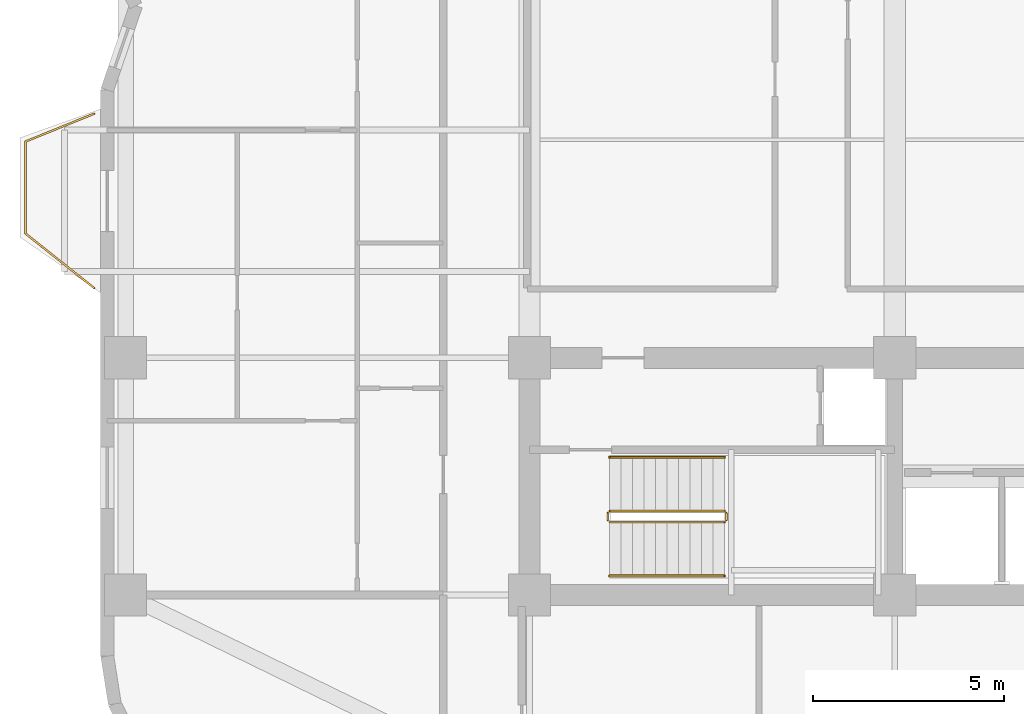
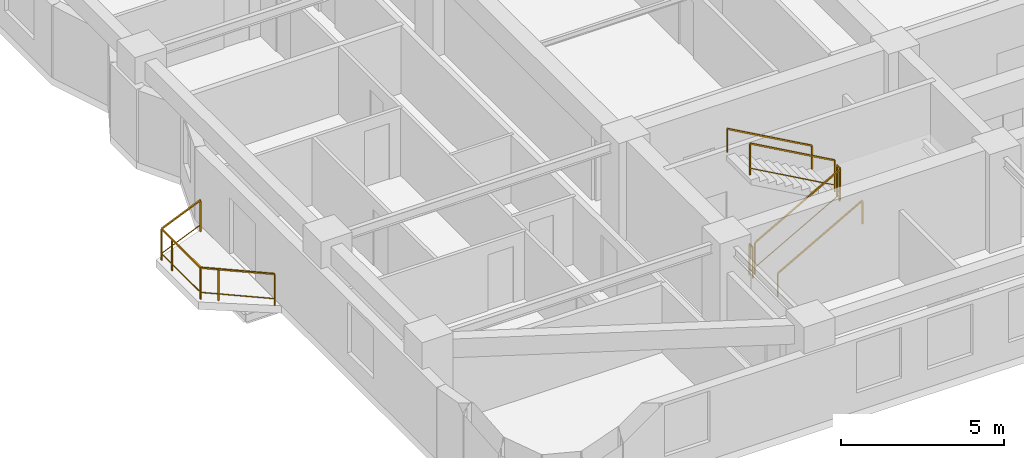
# One storey, part 8 of 9: 7 railings.
"""IFC4 building model written with IfcOpenShell, lengths in metres."""

from ifc_helpers import new_model, si_unit, direction, frame, origin, origin_2d, place, context, subcontext, project, spatial, rectangle, extrude, material, type_object, element, save


model = new_model("IFC4")

# Units and contexts
model_context = context("Model", 3, precision=1e-05, world=origin(), true_north=direction((0.0, 1.0)))
body_context = subcontext(model_context, "Body", "Model", "MODEL_VIEW")
ifc_project = project(units=[si_unit("LENGTHUNIT", "METRE"), si_unit("AREAUNIT", "SQUARE_METRE"), si_unit("VOLUMEUNIT", "CUBIC_METRE"), si_unit("PLANEANGLEUNIT", "RADIAN"), si_unit("MASSUNIT", "GRAM", prefix="KILO")], contexts=[model_context])

# Site, building, storey
site_placement = place(None, origin())
site = spatial("IfcSite", under=ifc_project, at=site_placement, CompositionType="ELEMENT")
building_placement = place(site_placement, origin())
building = spatial("IfcBuilding", under=site, at=building_placement, Name="Svetorya Sky Lyceum", CompositionType="ELEMENT")
storey_placement = place(building_placement, frame((0.0, 0.0, 125.300048828125)))
storey = spatial("IfcBuildingStorey", under=building, at=storey_placement, Name="L31", CompositionType="ELEMENT", Elevation=125.300048828125)

# Railings
ifc_material_1 = material(Name="Laminated safety glass and stainless AISI 316", Category="glass")
railing_type_1 = type_object("IfcRailingType", Name="RL-BAL-1200", PredefinedType="BALUSTRADE", material=ifc_material_1)
railing_1_placement = place(storey_placement, frame((14.22998046875, 18.6201171875, 0.0)))
element("IfcRailing", 1, at=railing_1_placement, inside=storey, type_object=railing_type_1, Name="L31 Balcony Balustrade BAL-W1", PredefinedType="BALUSTRADE", context=body_context, shape_type="SweptSolid", body=[
    extrude(rectangle(XDim=0.048095703125, YDim=0.048095703125, at=origin_2d()), frame((0.0, 0.0, 1.17578125), z_axis=(-0.783008919264, 0.622010476079, 0.0), x_axis=(-0.622010476079, -0.783008919264, 0.0)), (0.0, 0.0, 1.0), 2.298828125),
    extrude(rectangle(XDim=0.02392578125, YDim=0.02392578125, at=origin_2d()), frame((0.0, 0.0, 0.25), z_axis=(-0.783008919264, 0.622010476079, 0.0), x_axis=(-0.622010476079, -0.783008919264, 0.0)), (0.0, 0.0, 1.0), 2.298828125),
    extrude(rectangle(XDim=0.048095703125, YDim=0.048095703125, at=origin_2d()), frame((-1.800048828125, 1.429931640625, 1.17578125), z_axis=(0.0, 1.0, 0.0), x_axis=(-1.0, 0.0, 0.0)), (0.0, 0.0, 1.0), 2.39990234375),
    extrude(rectangle(XDim=0.02392578125, YDim=0.02392578125, at=origin_2d()), frame((-1.800048828125, 1.429931640625, 0.25), z_axis=(0.0, 1.0, 0.0), x_axis=(-1.0, 0.0, 0.0)), (0.0, 0.0, 1.0), 2.39990234375),
    extrude(rectangle(XDim=0.048095703125, YDim=0.048095703125, at=origin_2d()), frame((-1.800048828125, 3.829833984375, 1.17578125), z_axis=(0.926697865975, 0.375807218129, 0.0), x_axis=(-0.375807218129, 0.926697865975, 0.0)), (0.0, 0.0, 1.0), 1.9423828125),
    extrude(rectangle(XDim=0.02392578125, YDim=0.02392578125, at=origin_2d()), frame((-1.800048828125, 3.829833984375, 0.25), z_axis=(0.926697865975, 0.375807218129, 0.0), x_axis=(-0.375807218129, 0.926697865975, 0.0)), (0.0, 0.0, 1.0), 1.9423828125),
    extrude(rectangle(XDim=0.0419921875, YDim=0.0419921875, at=origin_2d()), origin(), (0.0, 0.0, 1.0), 1.15185546875),
    extrude(rectangle(XDim=0.0419921875, YDim=0.0419921875, at=origin_2d()), frame((-1.370361328125, 1.088623046875, 0.0)), (0.0, 0.0, 1.0), 1.15185546875),
    extrude(rectangle(XDim=0.0419921875, YDim=0.0419921875, at=origin_2d()), frame((-1.800048828125, 1.429931640625, 0.0)), (0.0, 0.0, 1.0), 1.15185546875),
    extrude(rectangle(XDim=0.0419921875, YDim=0.0419921875, at=origin_2d()), frame((-1.800048828125, 3.179931640625, 0.0)), (0.0, 0.0, 1.0), 1.15185546875),
    extrude(rectangle(XDim=0.0419921875, YDim=0.0419921875, at=origin_2d()), frame((-1.800048828125, 3.829833984375, 0.0)), (0.0, 0.0, 1.0), 1.15185546875),
    extrude(rectangle(XDim=0.0419921875, YDim=0.0419921875, at=origin_2d()), frame((0.0, 4.559814453125, 0.0)), (0.0, 0.0, 1.0), 1.15185546875),
])
ifc_material_2 = material(Name="Painted galvanized stair well guard")
railing_type_2 = type_object("IfcRailingType", Name="RL-STR-GUARD-1200", PredefinedType="GUARDRAIL", material=ifc_material_2)
railing_2_placement = place(storey_placement, frame((27.699951171875, 12.5, 0.168212890625)))
element("IfcRailing", 2, at=railing_2_placement, inside=storey, type_object=railing_type_2, Name="L31 ST-S stair guard 1", PredefinedType="GUARDRAIL", context=body_context, shape_type="SweptSolid", body=[
    extrude(rectangle(XDim=0.048095703125, YDim=0.048095703125, at=origin_2d()), frame((0.0, 0.0, 1.17578125), z_axis=(0.872302573547, 0.0, 0.488966481656), x_axis=(0.0, 1.0, 0.0)), (0.0, 0.0, 1.0), 3.439208984375),
    extrude(rectangle(XDim=0.02392578125, YDim=0.02392578125, at=origin_2d()), frame((0.0, 0.0, 0.25), z_axis=(0.872302573547, 0.0, 0.488966481656), x_axis=(0.0, 1.0, 0.0)), (0.0, 0.0, 1.0), 3.439208984375),
    extrude(rectangle(XDim=0.0419921875, YDim=0.0419921875, at=origin_2d()), origin(), (0.0, 0.0, 1.0), 1.15185546875),
    extrude(rectangle(XDim=0.0419921875, YDim=0.0419921875, at=origin_2d()), frame((3.0, 0.0, 1.681640625)), (0.0, 0.0, 1.0), 1.15185546875),
])
railing_3_placement = place(storey_placement, frame((30.75, 12.550048828125, 1.849853515625)))
element("IfcRailing", 3, at=railing_3_placement, inside=storey, type_object=railing_type_2, Name="L31 ST-S stair guard 2", PredefinedType="GUARDRAIL", context=body_context, shape_type="SweptSolid", body=[
    extrude(rectangle(XDim=0.048095703125, YDim=0.048095703125, at=origin_2d()), frame((0.0, 0.0, 1.17578125), z_axis=(0.0, 1.0, 0.0), x_axis=(-1.0, 0.0, 0.0)), (0.0, 0.0, 1.0), 0.199951171875),
    extrude(rectangle(XDim=0.02392578125, YDim=0.02392578125, at=origin_2d()), frame((0.0, 0.0, 0.25), z_axis=(0.0, 1.0, 0.0), x_axis=(-1.0, 0.0, 0.0)), (0.0, 0.0, 1.0), 0.199951171875),
    extrude(rectangle(XDim=0.0419921875, YDim=0.0419921875, at=origin_2d()), origin(), (0.0, 0.0, 1.0), 1.15185546875),
    extrude(rectangle(XDim=0.0419921875, YDim=0.0419921875, at=origin_2d()), frame((0.0, 0.199951171875, 0.0)), (0.0, 0.0, 1.0), 1.15185546875),
])
railing_4_placement = place(storey_placement, frame((30.699951171875, 12.800048828125, 2.01806640625)))
element("IfcRailing", 4, at=railing_4_placement, inside=storey, type_object=railing_type_2, Name="L31 ST-S stair guard 3", PredefinedType="GUARDRAIL", context=body_context, shape_type="SweptSolid", body=[
    extrude(rectangle(XDim=0.048095703125, YDim=0.048095703125, at=origin_2d()), frame((0.0, 0.0, 1.17578125), z_axis=(-0.872272294576, 0.0, 0.489020494575), x_axis=(0.0, -1.0, 0.0)), (0.0, 0.0, 1.0), 3.439208984375),
    extrude(rectangle(XDim=0.02392578125, YDim=0.02392578125, at=origin_2d()), frame((0.0, 0.0, 0.25), z_axis=(-0.872272294576, 0.0, 0.489020494575), x_axis=(0.0, -1.0, 0.0)), (0.0, 0.0, 1.0), 3.439208984375),
    extrude(rectangle(XDim=0.0419921875, YDim=0.0419921875, at=origin_2d()), origin(), (0.0, 0.0, 1.0), 1.15185546875),
    extrude(rectangle(XDim=0.0419921875, YDim=0.0419921875, at=origin_2d()), frame((-3.0, 0.0, 1.681884765625)), (0.0, 0.0, 1.0), 1.15185546875),
])
railing_5_placement = place(storey_placement, frame((27.64990234375, 12.550048828125, 0.0)))
element("IfcRailing", 5, at=railing_5_placement, inside=storey, type_object=railing_type_2, Name="L31 ST-S stair guard 4", PredefinedType="GUARDRAIL", context=body_context, shape_type="SweptSolid", body=[
    extrude(rectangle(XDim=0.048095703125, YDim=0.048095703125, at=origin_2d()), frame((0.0, 0.0, 1.17578125), z_axis=(0.0, 1.0, 0.0), x_axis=(-1.0, 0.0, 0.0)), (0.0, 0.0, 1.0), 0.199951171875),
    extrude(rectangle(XDim=0.02392578125, YDim=0.02392578125, at=origin_2d()), frame((0.0, 0.0, 0.25), z_axis=(0.0, 1.0, 0.0), x_axis=(-1.0, 0.0, 0.0)), (0.0, 0.0, 1.0), 0.199951171875),
    extrude(rectangle(XDim=0.0419921875, YDim=0.0419921875, at=origin_2d()), origin(), (0.0, 0.0, 1.0), 1.15185546875),
    extrude(rectangle(XDim=0.0419921875, YDim=0.0419921875, at=origin_2d()), frame((0.0, 0.199951171875, 0.0)), (0.0, 0.0, 1.0), 1.15185546875),
])
ifc_material_3 = material(Name="Brushed stainless AISI 304 stair handrail")
railing_type_3 = type_object("IfcRailingType", Name="RL-STR-HAND-920", PredefinedType="HANDRAIL", material=ifc_material_3)
railing_6_placement = place(storey_placement, frame((27.699951171875, 11.10009765625, 0.168212890625)))
element("IfcRailing", 6, at=railing_6_placement, inside=storey, type_object=railing_type_3, Name="L31 ST-S stair handrail 1", PredefinedType="HANDRAIL", context=body_context, shape_type="SweptSolid", body=[
    extrude(rectangle(XDim=0.048095703125, YDim=0.048095703125, at=origin_2d()), frame((0.0, 0.0, 0.8759765625), z_axis=(0.872302573547, 0.0, 0.488966481656), x_axis=(0.0, 1.0, 0.0)), (0.0, 0.0, 1.0), 3.439208984375),
    extrude(rectangle(XDim=0.0419921875, YDim=0.0419921875, at=origin_2d()), origin(), (0.0, 0.0, 1.0), 0.851806640625),
    extrude(rectangle(XDim=0.0419921875, YDim=0.0419921875, at=origin_2d()), frame((3.0, 0.0, 1.681640625)), (0.0, 0.0, 1.0), 0.851806640625),
])
railing_7_placement = place(storey_placement, frame((30.699951171875, 14.199951171875, 2.01806640625)))
element("IfcRailing", 7, at=railing_7_placement, inside=storey, type_object=railing_type_3, Name="L31 ST-S stair handrail 2", PredefinedType="HANDRAIL", context=body_context, shape_type="SweptSolid", body=[
    extrude(rectangle(XDim=0.048095703125, YDim=0.048095703125, at=origin_2d()), frame((0.0, 0.0, 0.8759765625), z_axis=(-0.872272294576, 0.0, 0.489020494575), x_axis=(0.0, -1.0, 0.0)), (0.0, 0.0, 1.0), 3.439208984375),
    extrude(rectangle(XDim=0.0419921875, YDim=0.0419921875, at=origin_2d()), origin(), (0.0, 0.0, 1.0), 0.851806640625),
    extrude(rectangle(XDim=0.0419921875, YDim=0.0419921875, at=origin_2d()), frame((-3.0, 0.0, 1.681884765625)), (0.0, 0.0, 1.0), 0.851806640625),
])

save(model, "model.ifc")
